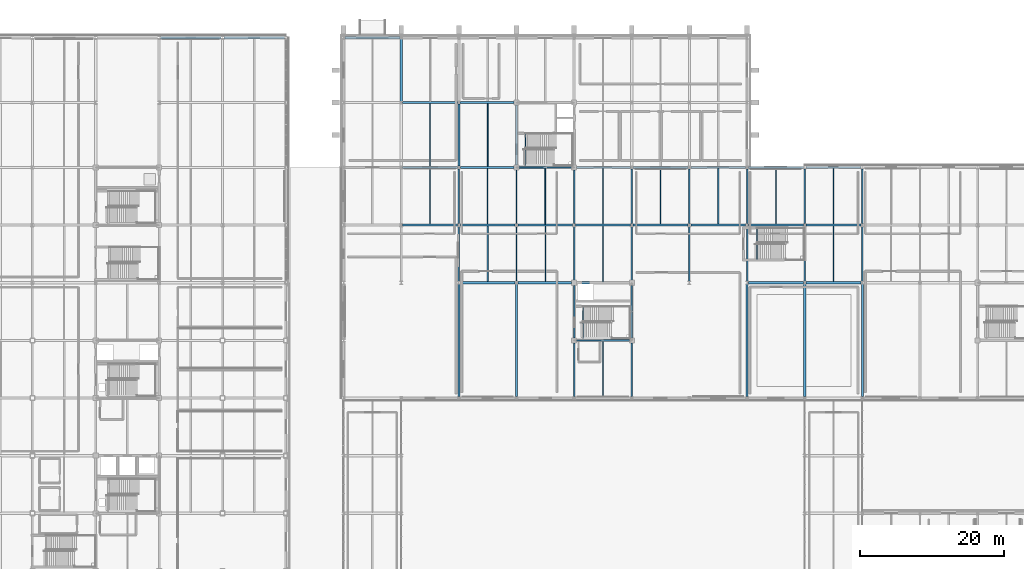
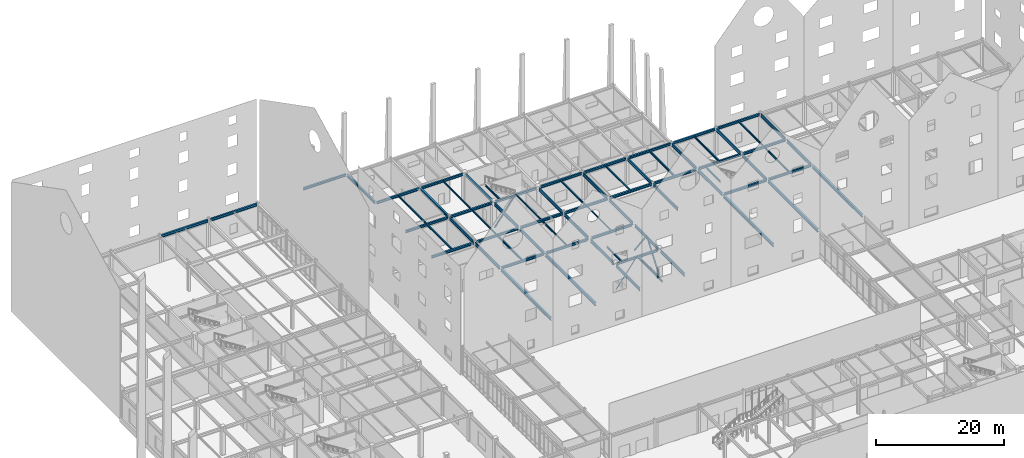
# One storey, part 47 of 119: 73 beams, 6 members.
"""IFC4 building model written with IfcOpenShell, lengths in metres."""

from ifc_helpers import new_model, si_unit, direction, frame, origin, origin_2d, place, context, subcontext, project, spatial, hollow_rectangle, hollow_circle, i_section, extrude, material, material_profile, profile_set, type_object, element, save


model = new_model("IFC4")

# Units and contexts
model_context = context("Model", 3, precision=1e-05, world=origin(), true_north=direction((0.0, 1.0)))
body_context = subcontext(model_context, "Body", "Model", "MODEL_VIEW")
ifc_project = project(units=[si_unit("LENGTHUNIT", "METRE"), si_unit("AREAUNIT", "SQUARE_METRE"), si_unit("VOLUMEUNIT", "CUBIC_METRE"), si_unit("PLANEANGLEUNIT", "RADIAN"), si_unit("MASSUNIT", "GRAM", prefix="KILO")], contexts=[model_context])

# Site, building, storey
site_placement = place(None, origin())
site = spatial("IfcSite", under=ifc_project, at=site_placement, CompositionType="ELEMENT")
building_placement = place(site_placement, origin())
building = spatial("IfcBuilding", under=site, at=building_placement, Name="Zhaolan Boulevard Law Courts", CompositionType="ELEMENT")
storey_placement = place(building_placement, origin())
storey = spatial("IfcBuildingStorey", under=building, at=storey_placement, Name="L00", CompositionType="ELEMENT", Elevation=0.0)

# Members
ifc_material_1 = material(Name="Structural steel Q355B", Category="steel")
ifc_material_profile_1 = material_profile(ifc_material_1, hollow_rectangle(XDim=0.199951171875, YDim=0.199951171875, WallThickness=0.010009765625, InnerFilletRadius=0.010009765625, OuterFilletRadius=0.02001953125, at=origin_2d()), Name="HSS200x200x10")
ifc_profile_set_1 = profile_set([ifc_material_profile_1], Name="Structural steel Q355B")
member_type_1 = type_object("IfcMemberType", Name="BRACE HSS200", PredefinedType="BRACE", material=ifc_profile_set_1)
for number, where, z_axis, x_axis, name in (
    (1, (92.0, 77.820068359375, 0.030029296875), (0.0, -0.600251625626, 0.799811218935), (1.0, 0.0, 0.0), "Core Brace BR-T1-L00-E2"),
    (2, (83.820068359375, 94.0, 0.030029296875), (-0.600251625626, 0.0, 0.799811218935), (0.0, -1.0, 0.0), "Core Brace BR-C1-L00-S2"),
):
    element("IfcMember", number, at=place(storey_placement, frame(where, z_axis=z_axis, x_axis=x_axis)), inside=storey, type_object=member_type_1, Name=name, PredefinedType="BRACE", context=body_context, shape_type="SweptSolid", body=[
        extrude(hollow_rectangle(XDim=0.199951171875, YDim=0.199951171875, WallThickness=0.010009765625, InnerFilletRadius=0.010009765625, OuterFilletRadius=0.02001953125, at=origin_2d()), origin(), (0.0, 0.0, 1.0), 6.364013671875),
    ])
ifc_material_2 = material(Name="Structural steel Q355B", Category="steel")
ifc_material_profile_2 = material_profile(ifc_material_2, hollow_rectangle(XDim=0.219970703125, YDim=0.219970703125, WallThickness=0.010009765625, InnerFilletRadius=0.010009765625, OuterFilletRadius=0.02001953125, at=origin_2d()), Name="HSS220x220x10")
ifc_profile_set_2 = profile_set([ifc_material_profile_2], Name="Structural steel Q355B")
member_type_2 = type_object("IfcMemberType", Name="BRACE HSS220", PredefinedType="BRACE", material=ifc_profile_set_2)
for number, where, z_axis, x_axis, name in (
    (3, (91.820068359375, 70.0, 0.030029296875), (-0.600251625626, 0.0, 0.799811218935), (0.0, -1.0, 0.0), "Core Brace BR-T1-L00-S2"),
    (4, (92.0, 70.179931640625, 0.030029296875), (0.0, 0.600251625626, 0.799811218935), (-1.0, 0.0, 0.0), "Core Brace BR-T1-L00-E1"),
    (5, (76.179931640625, 94.0, 0.030029296875), (0.600251625626, 0.0, 0.799811218935), (0.0, 1.0, 0.0), "Core Brace BR-C1-L00-S1"),
):
    element("IfcMember", number, at=place(storey_placement, frame(where, z_axis=z_axis, x_axis=x_axis)), inside=storey, type_object=member_type_2, Name=name, PredefinedType="BRACE", context=body_context, shape_type="SweptSolid", body=[
        extrude(hollow_rectangle(XDim=0.219970703125, YDim=0.219970703125, WallThickness=0.010009765625, InnerFilletRadius=0.010009765625, OuterFilletRadius=0.02001953125, at=origin_2d()), origin(), (0.0, 0.0, 1.0), 6.364013671875),
    ])

# Beams
ifc_material_3 = material(Name="Structural steel Q355B", Category="steel")
ifc_material_profile_3 = material_profile(ifc_material_3, i_section(OverallWidth=0.300048828125, OverallDepth=0.43994140625, WebThickness=0.010986328125, FlangeThickness=0.01806640625, FilletRadius=0.02001953125, at=origin_2d()), Name="HM440x300")
ifc_profile_set_3 = profile_set([ifc_material_profile_3], Name="Structural steel Q355B")
beam_type_1 = type_object("IfcBeamType", Name="GIRDER HM440", PredefinedType="BEAM", material=ifc_profile_set_3)
beam_1_placement = place(storey_placement, frame((84.345947265625, 70.0, 4.89794921875), z_axis=(1.0, 0.0, 0.0), x_axis=(0.0, 1.0, 0.0)))
element("IfcBeam", 6, at=beam_1_placement, inside=storey, type_object=beam_type_1, Name="Beam BX-L01-11-12-K", PredefinedType="BEAM", context=body_context, shape_type="SweptSolid", body=[
    extrude(i_section(OverallWidth=0.300048828125, OverallDepth=0.43994140625, WebThickness=0.010986328125, FlangeThickness=0.01806640625, FilletRadius=0.02001953125, at=origin_2d()), origin(), (0.0, 0.0, 1.0), 7.30810546875),
])
beam_2_placement = place(storey_placement, frame((68.196044921875, 78.0, 4.89794921875), z_axis=(1.0, 0.0, 0.0), x_axis=(0.0, 1.0, 0.0)))
element("IfcBeam", 7, at=beam_2_placement, inside=storey, type_object=beam_type_1, Name="Beam BX-L01-9-10-L", PredefinedType="BEAM", context=body_context, shape_type="SweptSolid", body=[
    extrude(i_section(OverallWidth=0.300048828125, OverallDepth=0.43994140625, WebThickness=0.010986328125, FlangeThickness=0.01806640625, FilletRadius=0.02001953125, at=origin_2d()), origin(), (0.0, 0.0, 1.0), 7.60791015625),
])
beam_3_placement = place(storey_placement, frame((76.196044921875, 78.0, 4.89794921875), z_axis=(1.0, 0.0, 0.0), x_axis=(0.0, 1.0, 0.0)))
element("IfcBeam", 8, at=beam_3_placement, inside=storey, type_object=beam_type_1, Name="Beam BX-L01-10-11-L", PredefinedType="BEAM", context=body_context, shape_type="SweptSolid", body=[
    extrude(i_section(OverallWidth=0.300048828125, OverallDepth=0.43994140625, WebThickness=0.010986328125, FlangeThickness=0.01806640625, FilletRadius=0.02001953125, at=origin_2d()), origin(), (0.0, 0.0, 1.0), 7.4580078125),
])
beam_4_placement = place(storey_placement, frame((84.345947265625, 78.0, 4.89794921875), z_axis=(1.0, 0.0, 0.0), x_axis=(0.0, 1.0, 0.0)))
element("IfcBeam", 9, at=beam_4_placement, inside=storey, type_object=beam_type_1, Name="Beam BX-L01-11-12-L", PredefinedType="BEAM", context=body_context, shape_type="SweptSolid", body=[
    extrude(i_section(OverallWidth=0.300048828125, OverallDepth=0.43994140625, WebThickness=0.010986328125, FlangeThickness=0.01806640625, FilletRadius=0.02001953125, at=origin_2d()), origin(), (0.0, 0.0, 1.0), 7.30810546875),
])
for number, where, z_axis, x_axis, name in (
    (10, (108.196044921875, 78.0, 4.89794921875), (1.0, 0.0, 0.0), (0.0, 1.0, 0.0), "Beam BX-L01-14-15-L"),
    (11, (116.196044921875, 78.0, 4.89794921875), (1.0, 0.0, 0.0), (0.0, 1.0, 0.0), "Beam BX-L01-15-16-L"),
    (12, (60.196044921875, 86.0, 4.89794921875), (1.0, 0.0, 0.0), (0.0, 1.0, 0.0), "Beam BX-L01-8-9-M"),
    (13, (68.196044921875, 86.0, 4.89794921875), (1.0, 0.0, 0.0), (0.0, 1.0, 0.0), "Beam BX-L01-9-10-M"),
    (14, (76.196044921875, 86.0, 4.89794921875), (1.0, 0.0, 0.0), (0.0, 1.0, 0.0), "Beam BX-L01-10-11-M"),
    (15, (84.196044921875, 86.0, 4.89794921875), (1.0, 0.0, 0.0), (0.0, 1.0, 0.0), "Beam BX-L01-11-12-M"),
    (16, (92.196044921875, 86.0, 4.89794921875), (1.0, 0.0, 0.0), (0.0, 1.0, 0.0), "Beam BX-L01-12-13-M"),
    (17, (100.196044921875, 86.0, 4.89794921875), (1.0, 0.0, 0.0), (0.0, 1.0, 0.0), "Beam BX-L01-13-14-M"),
    (18, (108.196044921875, 86.0, 4.89794921875), (1.0, 0.0, 0.0), (0.0, 1.0, 0.0), "Beam BX-L01-14-15-M"),
    (19, (116.196044921875, 86.0, 4.89794921875), (1.0, 0.0, 0.0), (0.0, 1.0, 0.0), "Beam BX-L01-15-16-M"),
    (20, (60.196044921875, 94.0, 4.89794921875), (1.0, 0.0, 0.0), (0.0, 1.0, 0.0), "Beam BX-L01-8-9-N"),
):
    element("IfcBeam", number, at=place(storey_placement, frame(where, z_axis=z_axis, x_axis=x_axis)), inside=storey, type_object=beam_type_1, Name=name, PredefinedType="BEAM", context=body_context, shape_type="SweptSolid", body=[
        extrude(i_section(OverallWidth=0.300048828125, OverallDepth=0.43994140625, WebThickness=0.010986328125, FlangeThickness=0.01806640625, FilletRadius=0.02001953125, at=origin_2d()), origin(), (0.0, 0.0, 1.0), 7.60791015625),
    ])
beam_5_placement = place(storey_placement, frame((68.196044921875, 94.0, 4.89794921875), z_axis=(1.0, 0.0, 0.0), x_axis=(0.0, 1.0, 0.0)))
element("IfcBeam", 21, at=beam_5_placement, inside=storey, type_object=beam_type_1, Name="Beam BX-L01-9-10-N", PredefinedType="BEAM", context=body_context, shape_type="SweptSolid", body=[
    extrude(i_section(OverallWidth=0.300048828125, OverallDepth=0.43994140625, WebThickness=0.010986328125, FlangeThickness=0.01806640625, FilletRadius=0.02001953125, at=origin_2d()), origin(), (0.0, 0.0, 1.0), 7.4580078125),
])
beam_6_placement = place(storey_placement, frame((76.345947265625, 94.0, 4.89794921875), z_axis=(1.0, 0.0, 0.0), x_axis=(0.0, 1.0, 0.0)))
element("IfcBeam", 22, at=beam_6_placement, inside=storey, type_object=beam_type_1, Name="Beam BX-L01-10-11-N", PredefinedType="BEAM", context=body_context, shape_type="SweptSolid", body=[
    extrude(i_section(OverallWidth=0.300048828125, OverallDepth=0.43994140625, WebThickness=0.010986328125, FlangeThickness=0.01806640625, FilletRadius=0.02001953125, at=origin_2d()), origin(), (0.0, 0.0, 1.0), 7.30810546875),
])
beam_7_placement = place(storey_placement, frame((84.345947265625, 94.0, 4.89794921875), z_axis=(1.0, 0.0, 0.0), x_axis=(0.0, 1.0, 0.0)))
element("IfcBeam", 23, at=beam_7_placement, inside=storey, type_object=beam_type_1, Name="Beam BX-L01-11-12-N", PredefinedType="BEAM", context=body_context, shape_type="SweptSolid", body=[
    extrude(i_section(OverallWidth=0.300048828125, OverallDepth=0.43994140625, WebThickness=0.010986328125, FlangeThickness=0.01806640625, FilletRadius=0.02001953125, at=origin_2d()), origin(), (0.0, 0.0, 1.0), 7.4580078125),
])
for number, where, z_axis, x_axis, name in (
    (24, (92.196044921875, 94.0, 4.89794921875), (1.0, 0.0, 0.0), (0.0, 1.0, 0.0), "Beam BX-L01-12-13-N"),
    (25, (100.196044921875, 94.0, 4.89794921875), (1.0, 0.0, 0.0), (0.0, 1.0, 0.0), "Beam BX-L01-13-14-N"),
    (26, (108.196044921875, 94.0, 4.89794921875), (1.0, 0.0, 0.0), (0.0, 1.0, 0.0), "Beam BX-L01-14-15-N"),
    (27, (116.196044921875, 94.0, 4.89794921875), (1.0, 0.0, 0.0), (0.0, 1.0, 0.0), "Beam BX-L01-15-16-N"),
):
    element("IfcBeam", number, at=place(storey_placement, frame(where, z_axis=z_axis, x_axis=x_axis)), inside=storey, type_object=beam_type_1, Name=name, PredefinedType="BEAM", context=body_context, shape_type="SweptSolid", body=[
        extrude(i_section(OverallWidth=0.300048828125, OverallDepth=0.43994140625, WebThickness=0.010986328125, FlangeThickness=0.01806640625, FilletRadius=0.02001953125, at=origin_2d()), origin(), (0.0, 0.0, 1.0), 7.60791015625),
    ])
beam_8_placement = place(storey_placement, frame((60.1708984375, 103.0, 4.91796875), z_axis=(1.0, 0.0, 0.0), x_axis=(0.0, 1.0, 0.0)))
element("IfcBeam", 28, at=beam_8_placement, inside=storey, type_object=beam_type_1, Name="Beam BX-L01-8-9-P", PredefinedType="BEAM", context=body_context, shape_type="SweptSolid", body=[
    extrude(i_section(OverallWidth=0.300048828125, OverallDepth=0.43994140625, WebThickness=0.010986328125, FlangeThickness=0.01806640625, FilletRadius=0.02001953125, at=origin_2d()), origin(), (0.0, 0.0, 1.0), 7.658203125),
])
beam_9_placement = place(storey_placement, frame((68.1708984375, 103.0, 4.91796875), z_axis=(1.0, 0.0, 0.0), x_axis=(0.0, 1.0, 0.0)))
element("IfcBeam", 29, at=beam_9_placement, inside=storey, type_object=beam_type_1, Name="Beam BX-L01-9-10-P", PredefinedType="BEAM", context=body_context, shape_type="SweptSolid", body=[
    extrude(i_section(OverallWidth=0.300048828125, OverallDepth=0.43994140625, WebThickness=0.010986328125, FlangeThickness=0.01806640625, FilletRadius=0.02001953125, at=origin_2d()), origin(), (0.0, 0.0, 1.0), 7.483154296875),
])
beam_10_placement = place(storey_placement, frame((52.1708984375, 112.0, 4.91796875), z_axis=(1.0, 0.0, 0.0), x_axis=(0.0, 1.0, 0.0)))
element("IfcBeam", 30, at=beam_10_placement, inside=storey, type_object=beam_type_1, Name="Beam BX-L01-7-8-Q", PredefinedType="BEAM", context=body_context, shape_type="SweptSolid", body=[
    extrude(i_section(OverallWidth=0.300048828125, OverallDepth=0.43994140625, WebThickness=0.010986328125, FlangeThickness=0.01806640625, FilletRadius=0.02001953125, at=origin_2d()), origin(), (0.0, 0.0, 1.0), 7.658203125),
])
ifc_material_4 = material(Name="Structural steel Q355B", Category="steel")
ifc_material_profile_4 = material_profile(ifc_material_4, i_section(OverallWidth=0.300048828125, OverallDepth=0.48193359375, WebThickness=0.010986328125, FlangeThickness=0.014892578125, FilletRadius=0.02197265625, at=origin_2d()), Name="HM482x300")
ifc_profile_set_4 = profile_set([ifc_material_profile_4], Name="Structural steel Q355B")
beam_type_2 = type_object("IfcBeamType", Name="GIRDER HM488", PredefinedType="BEAM", material=ifc_profile_set_4)
beam_11_placement = place(storey_placement, frame((60.0, 103.1708984375, 4.89697265625), z_axis=(0.0, 1.0, 0.0), x_axis=(-1.0, 0.0, 0.0)))
element("IfcBeam", 31, at=beam_11_placement, inside=storey, type_object=beam_type_2, Name="Beam BY-L01-8-P-Q", PredefinedType="BEAM", context=body_context, shape_type="SweptSolid", body=[
    extrude(i_section(OverallWidth=0.300048828125, OverallDepth=0.48193359375, WebThickness=0.010986328125, FlangeThickness=0.014892578125, FilletRadius=0.02197265625, at=origin_2d()), origin(), (0.0, 0.0, 1.0), 8.658203125),
])
beam_12_placement = place(storey_placement, frame((68.0, 94.196044921875, 4.89697265625), z_axis=(0.0, 1.0, 0.0), x_axis=(-1.0, 0.0, 0.0)))
element("IfcBeam", 32, at=beam_12_placement, inside=storey, type_object=beam_type_2, Name="Beam BY-L01-9-N-P", PredefinedType="BEAM", context=body_context, shape_type="SweptSolid", body=[
    extrude(i_section(OverallWidth=0.300048828125, OverallDepth=0.48193359375, WebThickness=0.010986328125, FlangeThickness=0.014892578125, FilletRadius=0.02197265625, at=origin_2d()), origin(), (0.0, 0.0, 1.0), 8.633056640625),
])
beam_13_placement = place(storey_placement, frame((76.0, 94.345947265625, 4.89697265625), z_axis=(0.0, 1.0, 0.0), x_axis=(-1.0, 0.0, 0.0)))
element("IfcBeam", 33, at=beam_13_placement, inside=storey, type_object=beam_type_2, Name="Beam BY-L01-10-N-P", PredefinedType="BEAM", context=body_context, shape_type="SweptSolid", body=[
    extrude(i_section(OverallWidth=0.300048828125, OverallDepth=0.48193359375, WebThickness=0.010986328125, FlangeThickness=0.014892578125, FilletRadius=0.02197265625, at=origin_2d()), origin(), (0.0, 0.0, 1.0), 8.30810546875),
])
ifc_material_5 = material(Name="Structural steel Q355B", Category="steel")
ifc_material_profile_5 = material_profile(ifc_material_5, i_section(OverallWidth=0.300048828125, OverallDepth=0.488037109375, WebThickness=0.010986328125, FlangeThickness=0.01806640625, FilletRadius=0.02197265625, at=origin_2d()), Name="HM488x300")
ifc_profile_set_5 = profile_set([ifc_material_profile_5], Name="Structural steel Q355B")
beam_type_3 = type_object("IfcBeamType", Name="GIRDER HM500", PredefinedType="BEAM", material=ifc_profile_set_5)
for number, where, z_axis, x_axis, name in (
    (34, (26.595947265625, 112.0, 4.8740234375), (1.0, 0.0, 0.0), (0.0, 1.0, 0.0), "Beam BX-L01-4-5-Q"),
    (35, (35.39599609375, 112.0, 4.8740234375), (1.0, 0.0, 0.0), (0.0, 1.0, 0.0), "Beam BX-L01-5-6-Q"),
):
    element("IfcBeam", number, at=place(storey_placement, frame(where, z_axis=z_axis, x_axis=x_axis)), inside=storey, type_object=beam_type_3, Name=name, PredefinedType="BEAM", context=body_context, shape_type="SweptSolid", body=[
        extrude(i_section(OverallWidth=0.300048828125, OverallDepth=0.488037109375, WebThickness=0.010986328125, FlangeThickness=0.01806640625, FilletRadius=0.02197265625, at=origin_2d()), origin(), (0.0, 0.0, 1.0), 8.407958984375),
    ])
ifc_material_6 = material(Name="Structural steel Q390B", Category="steel")
ifc_material_profile_6 = material_profile(ifc_material_6, i_section(OverallWidth=0.300048828125, OverallDepth=0.587890625, WebThickness=0.011962890625, FlangeThickness=0.02001953125, FilletRadius=0.02392578125, at=origin_2d()), Name="HM588x300")
ifc_profile_set_6 = profile_set([ifc_material_profile_6], Name="Structural steel Q390B")
beam_type_4 = type_object("IfcBeamType", Name="GIRDER HM588", PredefinedType="BEAM", material=ifc_profile_set_6)
for number, where, z_axis, x_axis, name in (
    (36, (68.0, 62.196044921875, 4.823974609375), (0.0, 1.0, 0.0), (-1.0, 0.0, 0.0), "Beam BY-L01-9-J-L"),
    (37, (76.0, 62.196044921875, 4.823974609375), (0.0, 1.0, 0.0), (-1.0, 0.0, 0.0), "Beam BY-L01-10-J-L"),
    (38, (108.0, 62.196044921875, 4.823974609375), (0.0, 1.0, 0.0), (-1.0, 0.0, 0.0), "Beam BY-L01-14-J-L"),
    (39, (116.0, 62.196044921875, 4.823974609375), (0.0, 1.0, 0.0), (-1.0, 0.0, 0.0), "Beam BY-L01-15-J-L"),
    (40, (124.0, 62.196044921875, 4.823974609375), (0.0, 1.0, 0.0), (-1.0, 0.0, 0.0), "Beam BY-L01-16-J-L"),
):
    element("IfcBeam", number, at=place(storey_placement, frame(where, z_axis=z_axis, x_axis=x_axis)), inside=storey, type_object=beam_type_4, Name=name, PredefinedType="BEAM", context=body_context, shape_type="SweptSolid", body=[
        extrude(i_section(OverallWidth=0.300048828125, OverallDepth=0.587890625, WebThickness=0.011962890625, FlangeThickness=0.02001953125, FilletRadius=0.02392578125, at=origin_2d()), origin(), (0.0, 0.0, 1.0), 15.60791015625),
    ])
ifc_material_7 = material(Name="Structural steel Q355B", Category="steel")
ifc_material_profile_7 = material_profile(ifc_material_7, i_section(OverallWidth=0.199951171875, OverallDepth=0.60009765625, WebThickness=0.010986328125, FlangeThickness=0.01708984375, FilletRadius=0.02001953125, at=origin_2d()), Name="HN600x200")
ifc_profile_set_7 = profile_set([ifc_material_profile_7], Name="Structural steel Q355B")
beam_type_5 = type_object("IfcBeamType", Name="GIRDER HN600", PredefinedType="BEAM", material=ifc_profile_set_7)
for number, where, z_axis, x_axis, name in (
    (41, (68.0, 78.196044921875, 4.818115234375), (0.0, 1.0, 0.0), (-1.0, 0.0, 0.0), "Beam BY-L01-9-L-M"),
    (42, (68.0, 86.196044921875, 4.818115234375), (0.0, 1.0, 0.0), (-1.0, 0.0, 0.0), "Beam BY-L01-9-M-N"),
    (43, (76.0, 78.196044921875, 4.818115234375), (0.0, 1.0, 0.0), (-1.0, 0.0, 0.0), "Beam BY-L01-10-L-M"),
):
    element("IfcBeam", number, at=place(storey_placement, frame(where, z_axis=z_axis, x_axis=x_axis)), inside=storey, type_object=beam_type_5, Name=name, PredefinedType="BEAM", context=body_context, shape_type="SweptSolid", body=[
        extrude(i_section(OverallWidth=0.199951171875, OverallDepth=0.60009765625, WebThickness=0.010986328125, FlangeThickness=0.01708984375, FilletRadius=0.02001953125, at=origin_2d()), origin(), (0.0, 0.0, 1.0), 7.60791015625),
    ])
for number, where, z_axis, x_axis, name in (
    (44, (76.0, 86.196044921875, 4.818115234375), (0.0, 1.0, 0.0), (-1.0, 0.0, 0.0), "Beam BY-L01-10-M-N"),
    (45, (84.0, 62.196044921875, 4.818115234375), (0.0, 1.0, 0.0), (-1.0, 0.0, 0.0), "Beam BY-L01-11-J-K"),
):
    element("IfcBeam", number, at=place(storey_placement, frame(where, z_axis=z_axis, x_axis=x_axis)), inside=storey, type_object=beam_type_5, Name=name, PredefinedType="BEAM", context=body_context, shape_type="SweptSolid", body=[
        extrude(i_section(OverallWidth=0.199951171875, OverallDepth=0.60009765625, WebThickness=0.010986328125, FlangeThickness=0.01708984375, FilletRadius=0.02001953125, at=origin_2d()), origin(), (0.0, 0.0, 1.0), 7.4580078125),
    ])
beam_14_placement = place(storey_placement, frame((84.0, 70.345947265625, 4.818115234375), z_axis=(0.0, 1.0, 0.0), x_axis=(-1.0, 0.0, 0.0)))
element("IfcBeam", 46, at=beam_14_placement, inside=storey, type_object=beam_type_5, Name="Beam BY-L01-11-K-L", PredefinedType="BEAM", context=body_context, shape_type="SweptSolid", body=[
    extrude(i_section(OverallWidth=0.199951171875, OverallDepth=0.60009765625, WebThickness=0.010986328125, FlangeThickness=0.01708984375, FilletRadius=0.02001953125, at=origin_2d()), origin(), (0.0, 0.0, 1.0), 7.30810546875),
])
for number, where, z_axis, x_axis, name in (
    (47, (84.0, 78.345947265625, 4.818115234375), (0.0, 1.0, 0.0), (-1.0, 0.0, 0.0), "Beam BY-L01-11-L-M"),
    (48, (84.0, 86.196044921875, 4.818115234375), (0.0, 1.0, 0.0), (-1.0, 0.0, 0.0), "Beam BY-L01-11-M-N"),
    (49, (92.0, 62.196044921875, 4.818115234375), (0.0, 1.0, 0.0), (-1.0, 0.0, 0.0), "Beam BY-L01-12-J-K"),
):
    element("IfcBeam", number, at=place(storey_placement, frame(where, z_axis=z_axis, x_axis=x_axis)), inside=storey, type_object=beam_type_5, Name=name, PredefinedType="BEAM", context=body_context, shape_type="SweptSolid", body=[
        extrude(i_section(OverallWidth=0.199951171875, OverallDepth=0.60009765625, WebThickness=0.010986328125, FlangeThickness=0.01708984375, FilletRadius=0.02001953125, at=origin_2d()), origin(), (0.0, 0.0, 1.0), 7.4580078125),
    ])
beam_15_placement = place(storey_placement, frame((92.0, 70.345947265625, 4.818115234375), z_axis=(0.0, 1.0, 0.0), x_axis=(-1.0, 0.0, 0.0)))
element("IfcBeam", 50, at=beam_15_placement, inside=storey, type_object=beam_type_5, Name="Beam BY-L01-12-K-L", PredefinedType="BEAM", context=body_context, shape_type="SweptSolid", body=[
    extrude(i_section(OverallWidth=0.199951171875, OverallDepth=0.60009765625, WebThickness=0.010986328125, FlangeThickness=0.01708984375, FilletRadius=0.02001953125, at=origin_2d()), origin(), (0.0, 0.0, 1.0), 7.30810546875),
])
beam_16_placement = place(storey_placement, frame((92.0, 78.345947265625, 4.818115234375), z_axis=(0.0, 1.0, 0.0), x_axis=(-1.0, 0.0, 0.0)))
element("IfcBeam", 51, at=beam_16_placement, inside=storey, type_object=beam_type_5, Name="Beam BY-L01-12-L-M", PredefinedType="BEAM", context=body_context, shape_type="SweptSolid", body=[
    extrude(i_section(OverallWidth=0.199951171875, OverallDepth=0.60009765625, WebThickness=0.010986328125, FlangeThickness=0.01708984375, FilletRadius=0.02001953125, at=origin_2d()), origin(), (0.0, 0.0, 1.0), 7.4580078125),
])
for number, where, z_axis, x_axis, name in (
    (52, (92.0, 86.196044921875, 4.818115234375), (0.0, 1.0, 0.0), (-1.0, 0.0, 0.0), "Beam BY-L01-12-M-N"),
    (53, (100.0, 78.196044921875, 4.818115234375), (0.0, 1.0, 0.0), (-1.0, 0.0, 0.0), "Beam BY-L01-13-L-M"),
    (54, (100.0, 86.196044921875, 4.818115234375), (0.0, 1.0, 0.0), (-1.0, 0.0, 0.0), "Beam BY-L01-13-M-N"),
    (55, (108.0, 78.196044921875, 4.818115234375), (0.0, 1.0, 0.0), (-1.0, 0.0, 0.0), "Beam BY-L01-14-L-M"),
    (56, (108.0, 86.196044921875, 4.818115234375), (0.0, 1.0, 0.0), (-1.0, 0.0, 0.0), "Beam BY-L01-14-M-N"),
    (57, (116.0, 78.196044921875, 4.818115234375), (0.0, 1.0, 0.0), (-1.0, 0.0, 0.0), "Beam BY-L01-15-L-M"),
    (58, (116.0, 86.196044921875, 4.818115234375), (0.0, 1.0, 0.0), (-1.0, 0.0, 0.0), "Beam BY-L01-15-M-N"),
    (59, (124.0, 78.196044921875, 4.818115234375), (0.0, 1.0, 0.0), (-1.0, 0.0, 0.0), "Beam BY-L01-16-L-M"),
    (60, (124.0, 86.196044921875, 4.818115234375), (0.0, 1.0, 0.0), (-1.0, 0.0, 0.0), "Beam BY-L01-16-M-N"),
):
    element("IfcBeam", number, at=place(storey_placement, frame(where, z_axis=z_axis, x_axis=x_axis)), inside=storey, type_object=beam_type_5, Name=name, PredefinedType="BEAM", context=body_context, shape_type="SweptSolid", body=[
        extrude(i_section(OverallWidth=0.199951171875, OverallDepth=0.60009765625, WebThickness=0.010986328125, FlangeThickness=0.01708984375, FilletRadius=0.02001953125, at=origin_2d()), origin(), (0.0, 0.0, 1.0), 7.60791015625),
    ])
ifc_material_8 = material(Name="Structural steel Q355B", Category="steel")
ifc_material_profile_8 = material_profile(ifc_material_8, i_section(OverallWidth=0.175048828125, OverallDepth=0.243896484375, WebThickness=0.007080078125, FlangeThickness=0.010986328125, FilletRadius=0.012939453125, at=origin_2d()), Name="HM244x175")
ifc_profile_set_8 = profile_set([ifc_material_profile_8], Name="Structural steel Q355B")
beam_type_6 = type_object("IfcBeamType", Name="JOIST HM244", PredefinedType="JOIST", material=ifc_profile_set_8)
beam_17_placement = place(storey_placement, frame((96.0, 86.14599609375, 4.99609375), z_axis=(0.0, 1.0, 0.0), x_axis=(-1.0, 0.0, 0.0)))
element("IfcBeam", 61, at=beam_17_placement, inside=storey, type_object=beam_type_6, Name="Composite Joist J-L01-12M", PredefinedType="JOIST", context=body_context, shape_type="SweptSolid", body=[
    extrude(i_section(OverallWidth=0.175048828125, OverallDepth=0.243896484375, WebThickness=0.007080078125, FlangeThickness=0.010986328125, FilletRadius=0.012939453125, at=origin_2d()), origin(), (0.0, 0.0, 1.0), 7.7080078125),
])
ifc_material_9 = material(Name="Structural steel Q355B", Category="steel")
ifc_material_profile_9 = material_profile(ifc_material_9, i_section(OverallWidth=0.199951171875, OverallDepth=0.2939453125, WebThickness=0.008056640625, FlangeThickness=0.011962890625, FilletRadius=0.01611328125, at=origin_2d()), Name="HM294x200")
ifc_profile_set_9 = profile_set([ifc_material_profile_9], Name="Structural steel Q355B")
beam_type_7 = type_object("IfcBeamType", Name="JOIST HM294", PredefinedType="JOIST", material=ifc_profile_set_9)
beam_18_placement = place(storey_placement, frame((88.0, 86.14599609375, 4.970947265625), z_axis=(0.0, 1.0, 0.0), x_axis=(-1.0, 0.0, 0.0)))
element("IfcBeam", 62, at=beam_18_placement, inside=storey, type_object=beam_type_7, Name="Composite Joist J-L01-11M", PredefinedType="JOIST", context=body_context, shape_type="SweptSolid", body=[
    extrude(i_section(OverallWidth=0.199951171875, OverallDepth=0.2939453125, WebThickness=0.008056640625, FlangeThickness=0.011962890625, FilletRadius=0.01611328125, at=origin_2d()), origin(), (0.0, 0.0, 1.0), 7.7080078125),
])
ifc_material_10 = material(Name="Structural steel Q355B", Category="steel")
ifc_material_profile_10 = material_profile(ifc_material_10, i_section(OverallWidth=0.125, OverallDepth=0.25, WebThickness=0.006103515625, FlangeThickness=0.009033203125, FilletRadius=0.010009765625, at=origin_2d()), Name="HN250x125")
ifc_profile_set_10 = profile_set([ifc_material_profile_10], Name="Structural steel Q355B")
beam_type_8 = type_object("IfcBeamType", Name="JOIST HN250", PredefinedType="JOIST", material=ifc_profile_set_10)
beam_19_placement = place(storey_placement, frame((72.0, 94.14599609375, 5.012939453125), z_axis=(0.0, 1.0, 0.0), x_axis=(-1.0, 0.0, 0.0)))
element("IfcBeam", 63, at=beam_19_placement, inside=storey, type_object=beam_type_8, Name="Composite Joist J-L01-9N", PredefinedType="JOIST", context=body_context, shape_type="SweptSolid", body=[
    extrude(i_section(OverallWidth=0.125, OverallDepth=0.25, WebThickness=0.006103515625, FlangeThickness=0.009033203125, FilletRadius=0.010009765625, at=origin_2d()), origin(), (0.0, 0.0, 1.0), 8.7080078125),
])
for number, where, z_axis, x_axis, name in (
    (64, (80.0, 86.14599609375, 4.992919921875), (0.0, 1.0, 0.0), (-1.0, 0.0, 0.0), "Composite Joist J-L01-10M"),
    (65, (88.0, 78.14599609375, 4.992919921875), (0.0, 1.0, 0.0), (-1.0, 0.0, 0.0), "Composite Joist J-L01-11L"),
):
    element("IfcBeam", number, at=place(storey_placement, frame(where, z_axis=z_axis, x_axis=x_axis)), inside=storey, type_object=beam_type_8, Name=name, PredefinedType="JOIST", context=body_context, shape_type="SweptSolid", body=[
        extrude(i_section(OverallWidth=0.125, OverallDepth=0.25, WebThickness=0.006103515625, FlangeThickness=0.009033203125, FilletRadius=0.010009765625, at=origin_2d()), origin(), (0.0, 0.0, 1.0), 7.7080078125),
    ])
ifc_material_11 = material(Name="Structural steel Q355B", Category="steel")
ifc_material_profile_11 = material_profile(ifc_material_11, i_section(OverallWidth=0.14990234375, OverallDepth=0.300048828125, WebThickness=0.006591796875, FlangeThickness=0.009033203125, FilletRadius=0.010986328125, at=origin_2d()), Name="HN300x150")
ifc_profile_set_11 = profile_set([ifc_material_profile_11], Name="Structural steel Q355B")
beam_type_9 = type_object("IfcBeamType", Name="JOIST HN300", PredefinedType="JOIST", material=ifc_profile_set_11)
beam_20_placement = place(storey_placement, frame((64.0, 94.14599609375, 4.988037109375), z_axis=(0.0, 1.0, 0.0), x_axis=(-1.0, 0.0, 0.0)))
element("IfcBeam", 66, at=beam_20_placement, inside=storey, type_object=beam_type_9, Name="Composite Joist J-L01-8N", PredefinedType="JOIST", context=body_context, shape_type="SweptSolid", body=[
    extrude(i_section(OverallWidth=0.14990234375, OverallDepth=0.300048828125, WebThickness=0.006591796875, FlangeThickness=0.009033203125, FilletRadius=0.010986328125, at=origin_2d()), origin(), (0.0, 0.0, 1.0), 8.7080078125),
])
for number, where, z_axis, x_axis, name in (
    (67, (72.0, 86.14599609375, 4.968017578125), (0.0, 1.0, 0.0), (-1.0, 0.0, 0.0), "Composite Joist J-L01-9M"),
    (68, (80.0, 78.14599609375, 4.968017578125), (0.0, 1.0, 0.0), (-1.0, 0.0, 0.0), "Composite Joist J-L01-10L"),
    (69, (120.0, 86.14599609375, 4.968017578125), (0.0, 1.0, 0.0), (-1.0, 0.0, 0.0), "Composite Joist J-L01-15M"),
):
    element("IfcBeam", number, at=place(storey_placement, frame(where, z_axis=z_axis, x_axis=x_axis)), inside=storey, type_object=beam_type_9, Name=name, PredefinedType="JOIST", context=body_context, shape_type="SweptSolid", body=[
        extrude(i_section(OverallWidth=0.14990234375, OverallDepth=0.300048828125, WebThickness=0.006591796875, FlangeThickness=0.009033203125, FilletRadius=0.010986328125, at=origin_2d()), origin(), (0.0, 0.0, 1.0), 7.7080078125),
    ])
ifc_material_12 = material(Name="Structural steel Q355B", Category="steel")
ifc_material_profile_12 = material_profile(ifc_material_12, i_section(OverallWidth=0.175048828125, OverallDepth=0.35009765625, WebThickness=0.007080078125, FlangeThickness=0.010986328125, FilletRadius=0.012939453125, at=origin_2d()), Name="HN350x175")
ifc_profile_set_12 = profile_set([ifc_material_profile_12], Name="Structural steel Q355B")
beam_type_10 = type_object("IfcBeamType", Name="JOIST HN350", PredefinedType="JOIST", material=ifc_profile_set_12)
for number, where, z_axis, x_axis, name in (
    (70, (64.0, 86.14599609375, 4.943115234375), (0.0, 1.0, 0.0), (-1.0, 0.0, 0.0), "Composite Joist J-L01-8M"),
    (71, (72.0, 78.14599609375, 4.943115234375), (0.0, 1.0, 0.0), (-1.0, 0.0, 0.0), "Composite Joist J-L01-9L"),
    (72, (88.0, 62.14599609375, 4.943115234375), (0.0, 1.0, 0.0), (-1.0, 0.0, 0.0), "Composite Joist J-L01-11J"),
    (73, (112.0, 86.14599609375, 4.943115234375), (0.0, 1.0, 0.0), (-1.0, 0.0, 0.0), "Composite Joist J-L01-14M"),
    (74, (120.0, 78.14599609375, 4.943115234375), (0.0, 1.0, 0.0), (-1.0, 0.0, 0.0), "Composite Joist J-L01-15L"),
):
    element("IfcBeam", number, at=place(storey_placement, frame(where, z_axis=z_axis, x_axis=x_axis)), inside=storey, type_object=beam_type_10, Name=name, PredefinedType="JOIST", context=body_context, shape_type="SweptSolid", body=[
        extrude(i_section(OverallWidth=0.175048828125, OverallDepth=0.35009765625, WebThickness=0.007080078125, FlangeThickness=0.010986328125, FilletRadius=0.012939453125, at=origin_2d()), origin(), (0.0, 0.0, 1.0), 7.7080078125),
    ])
ifc_material_13 = material(Name="Structural steel Q355B", Category="steel")
ifc_material_profile_13 = material_profile(ifc_material_13, i_section(OverallWidth=0.199951171875, OverallDepth=0.39990234375, WebThickness=0.008056640625, FlangeThickness=0.012939453125, FilletRadius=0.013916015625, at=origin_2d()), Name="HN400x200")
ifc_profile_set_13 = profile_set([ifc_material_profile_13], Name="Structural steel Q355B")
beam_type_11 = type_object("IfcBeamType", Name="JOIST HN400", PredefinedType="JOIST", material=ifc_profile_set_13)
beam_21_placement = place(storey_placement, frame((104.0, 86.14599609375, 4.91796875), z_axis=(0.0, 1.0, 0.0), x_axis=(-1.0, 0.0, 0.0)))
element("IfcBeam", 75, at=beam_21_placement, inside=storey, type_object=beam_type_11, Name="Composite Joist J-L01-13M", PredefinedType="JOIST", context=body_context, shape_type="SweptSolid", body=[
    extrude(i_section(OverallWidth=0.199951171875, OverallDepth=0.39990234375, WebThickness=0.008056640625, FlangeThickness=0.012939453125, FilletRadius=0.013916015625, at=origin_2d()), origin(), (0.0, 0.0, 1.0), 7.7080078125),
])
ifc_material_14 = material(Name="Structural steel Q355B", Category="steel")
ifc_material_profile_14 = material_profile(ifc_material_14, i_section(OverallWidth=0.175048828125, OverallDepth=0.35009765625, WebThickness=0.007080078125, FlangeThickness=0.010986328125, FilletRadius=0.012939453125, at=origin_2d()), Name="HN350x175")
ifc_profile_set_14 = profile_set([ifc_material_profile_14], Name="Structural steel Q355B")
beam_type_12 = type_object("IfcBeamType", Name="STAIR TRIMMER HN350", PredefinedType="BEAM", material=ifc_profile_set_14)
for number, where, z_axis, x_axis, name in (
    (76, (85.235107421875, 70.1650390625, 4.93505859375), (0.0, 1.0, 0.0), (-1.0, 0.0, 0.0), "Stair Landing Trimmer Beam STB-ST08-L01"),
    (77, (77.235107421875, 94.1650390625, 4.93505859375), (0.0, 1.0, 0.0), (-1.0, 0.0, 0.0), "Stair Landing Trimmer Beam STB-ST11-L01"),
):
    element("IfcBeam", number, at=place(storey_placement, frame(where, z_axis=z_axis, x_axis=x_axis)), inside=storey, type_object=beam_type_12, Name=name, PredefinedType="BEAM", context=body_context, shape_type="SweptSolid", body=[
        extrude(i_section(OverallWidth=0.175048828125, OverallDepth=0.35009765625, WebThickness=0.007080078125, FlangeThickness=0.010986328125, FilletRadius=0.012939453125, at=origin_2d()), origin(), (0.0, 0.0, 1.0), 4.544921875),
    ])
beam_22_placement = place(storey_placement, frame((109.385009765625, 81.199951171875, 4.93505859375), z_axis=(0.0, 1.0, 0.0), x_axis=(-1.0, 0.0, 0.0)))
element("IfcBeam", 78, at=beam_22_placement, inside=storey, type_object=beam_type_12, Name="Stair Landing Trimmer Beam STB-ST13-L01", PredefinedType="BEAM", context=body_context, shape_type="SweptSolid", body=[
    extrude(i_section(OverallWidth=0.175048828125, OverallDepth=0.35009765625, WebThickness=0.007080078125, FlangeThickness=0.010986328125, FilletRadius=0.012939453125, at=origin_2d()), origin(), (0.0, 0.0, 1.0), 4.35009765625),
])

# Member
ifc_material_15 = material(Name="Structural steel Q355B", Category="steel")
ifc_material_profile_15 = material_profile(ifc_material_15, hollow_circle(Radius=0.083984375, WallThickness=0.008056640625, at=origin_2d()), Name="CHS168x8")
ifc_profile_set_15 = profile_set([ifc_material_profile_15], Name="Structural steel Q355B")
member_type_3 = type_object("IfcMemberType", Name="STRUT CHS168", PredefinedType="BRACE", material=ifc_profile_set_15)
member_placement = place(storey_placement, frame((84.179931640625, 70.0, 0.030029296875), z_axis=(0.600251625626, 0.0, 0.799811218935), x_axis=(0.0, 1.0, 0.0)))
element("IfcMember", 79, at=member_placement, inside=storey, type_object=member_type_3, Name="Core Brace BR-T1-L00-S1", PredefinedType="BRACE", context=body_context, shape_type="SweptSolid", body=[
    extrude(hollow_circle(Radius=0.083984375, WallThickness=0.008056640625, at=origin_2d()), origin(), (0.0, 0.0, 1.0), 6.364013671875),
])

save(model, "model.ifc")
